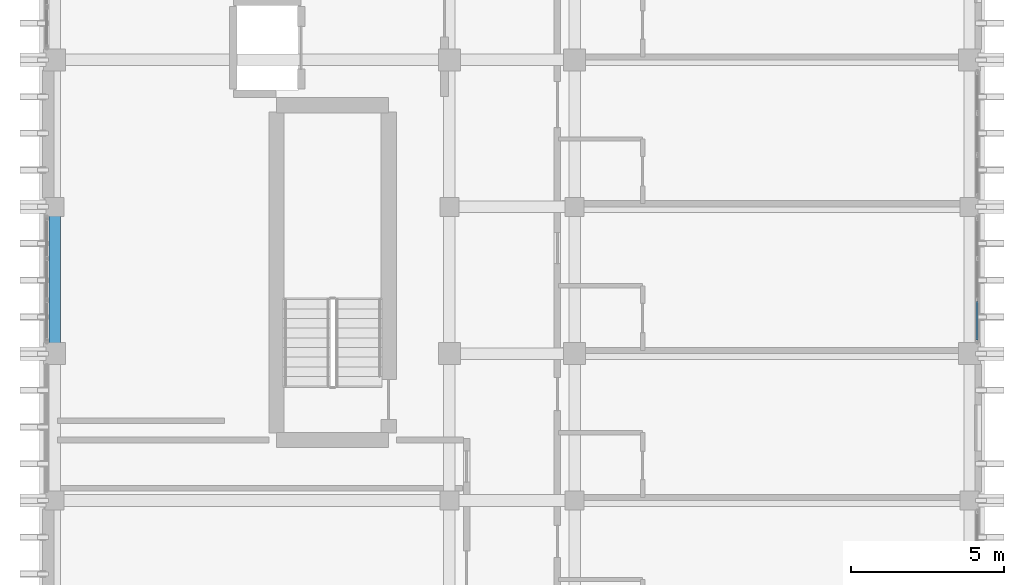
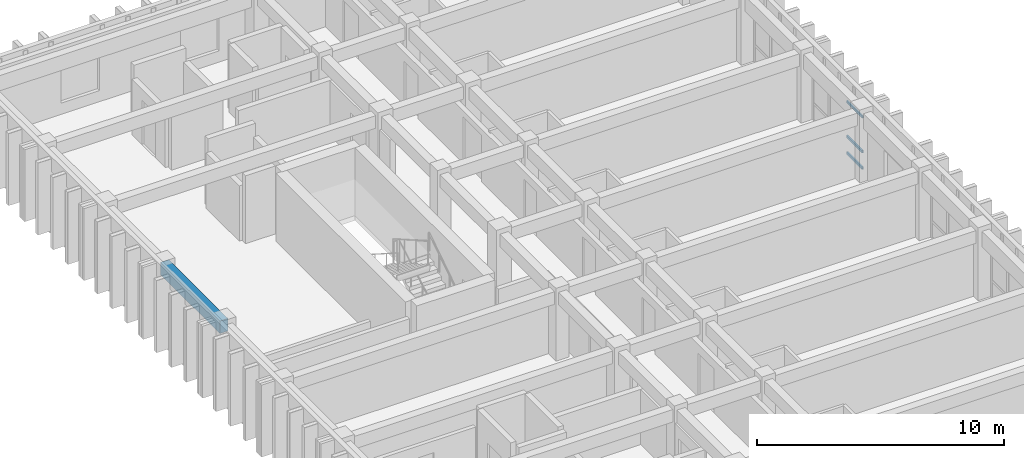
# One storey, part 33 of 59: 3 members, 1 beam, 1 element without a shape of its own.
"""IFC4 building model written with IfcOpenShell, lengths in metres."""

from ifc_helpers import new_model, si_unit, direction, frame, origin, origin_2d, place, context, subcontext, project, spatial, rectangle, hollow_rectangle, extrude, material, layer, layer_set, material_profile, profile_set, type_object, element, aggregate, save


model = new_model("IFC4")

# Units and contexts
model_context = context("Model", 3, precision=1e-05, world=origin(), true_north=direction((0.0, 1.0)))
body_context = subcontext(model_context, "Body", "Model", "MODEL_VIEW")
ifc_project = project(units=[si_unit("LENGTHUNIT", "METRE"), si_unit("AREAUNIT", "SQUARE_METRE"), si_unit("VOLUMEUNIT", "CUBIC_METRE"), si_unit("PLANEANGLEUNIT", "RADIAN"), si_unit("MASSUNIT", "GRAM", prefix="KILO")], contexts=[model_context])

# Site, building, storey
site_placement = place(None, origin())
site = spatial("IfcSite", under=ifc_project, at=site_placement, CompositionType="ELEMENT")
building_placement = place(site_placement, origin())
building = spatial("IfcBuilding", under=site, at=building_placement, Name="Nakhvara Creek Congress Hotel", CompositionType="ELEMENT")
storey_placement = place(building_placement, frame((0.0, 0.0, 31.800048828125)))
storey = spatial("IfcBuildingStorey", under=building, at=storey_placement, Name="L07", CompositionType="ELEMENT", Elevation=31.800048828125)

# Beam
ifc_material_1 = material(Name="Concrete C40/50", Category="concrete")
ifc_material_profile_1 = material_profile(ifc_material_1, rectangle(XDim=0.3798828125, YDim=0.6201171875, at=origin_2d()), Name="RC-BM 380x620", Category="LoadBearing")
ifc_profile_set_1 = profile_set([ifc_material_profile_1], Name="Concrete C40/50")
beam_type = type_object("IfcBeamType", Name="BM-RC-380X620", PredefinedType="BEAM", material=ifc_profile_set_1)
beam_placement = place(storey_placement, frame((149.449951171875, 105.60009765625, 3.050048828125), z_axis=(0.0, 1.0, 0.0), x_axis=(-1.0, 0.0, 0.0)))
element("IfcBeam", 1, at=beam_placement, inside=storey, type_object=beam_type, Name="Beam B10-L07-2335", PredefinedType="BEAM", context=body_context, shape_type="SweptSolid", body=[
    extrude(rectangle(XDim=0.3798828125, YDim=0.6201171875, at=origin_2d()), origin(), (0.0, 0.0, 1.0), 4.7998046875),
])

# Curtain wall, members
ifc_material_2 = material(Name="Bronze-anodised aluminium AW-6063-T6 and double-silver low-E glass", Category="aluminium")
ifc_layer = layer(ifc_material_2, 0.199951171875)
ifc_layer_set = layer_set([ifc_layer], Name="Bronze-anodised aluminium AW-6063-T6 and double-silver low-E glass")
curtain_wall_type = type_object("IfcCurtainWallType", Name="CW-HTL-UNIT", PredefinedType="USERDEFINED", material=ifc_layer_set)
curtain_wall_placement = place(storey_placement, origin())
curtain_wall = element("IfcCurtainWall", 2, at=curtain_wall_placement, inside=storey, type_object=curtain_wall_type, Name="Curtain Wall CW269", ObjectType="UNITISED", PredefinedType="USERDEFINED")
ifc_material_3 = material(Name="Bronze-anodised aluminium AW-6063-T6", Category="aluminium")
ifc_material_profile_2 = material_profile(ifc_material_3, hollow_rectangle(XDim=0.06494140625, YDim=0.1201171875, WallThickness=0.00390625, at=origin_2d()), Name="ALU-TRAN 65x120x4", Category="LoadBearing")
ifc_profile_set_2 = profile_set([ifc_material_profile_2], Name="Bronze-anodised aluminium AW-6063-T6")
member_type = type_object("IfcMemberType", Name="CW-TRAN-120", PredefinedType="USERDEFINED", material=ifc_profile_set_2)
member_1_placement = place(storey_placement, frame((179.60009765625, 107.30908203125, 0.032470703125), z_axis=(0.0, -1.0, 0.0), x_axis=(1.0, 0.0, 0.0)))
member_1 = element("IfcMember", 3, at=member_1_placement, type_object=member_type, Name="CW269 transom 3.1", ObjectType="TRANSOM", PredefinedType="USERDEFINED", context=body_context, shape_type="SweptSolid", body=[
    extrude(hollow_rectangle(XDim=0.06494140625, YDim=0.1201171875, WallThickness=0.00390625, at=origin_2d()), origin(), (0.0, 0.0, 1.0), 1.26904296875),
])
member_2_placement = place(storey_placement, frame((179.60009765625, 107.30908203125, 0.849853515625), z_axis=(0.0, -1.0, 0.0), x_axis=(1.0, 0.0, 0.0)))
member_2 = element("IfcMember", 4, at=member_2_placement, type_object=member_type, Name="CW269 transom 3.2", ObjectType="TRANSOM", PredefinedType="USERDEFINED", context=body_context, shape_type="SweptSolid", body=[
    extrude(hollow_rectangle(XDim=0.06494140625, YDim=0.1201171875, WallThickness=0.00390625, at=origin_2d()), origin(), (0.0, 0.0, 1.0), 1.26904296875),
])
member_3_placement = place(storey_placement, frame((179.60009765625, 107.30908203125, 2.5693359375), z_axis=(0.0, -1.0, 0.0), x_axis=(1.0, 0.0, 0.0)))
member_3 = element("IfcMember", 5, at=member_3_placement, type_object=member_type, Name="CW269 transom 3.3", ObjectType="TRANSOM", PredefinedType="USERDEFINED", context=body_context, shape_type="SweptSolid", body=[
    extrude(hollow_rectangle(XDim=0.06494140625, YDim=0.1201171875, WallThickness=0.00390625, at=origin_2d()), origin(), (0.0, 0.0, 1.0), 1.26904296875),
])
aggregate(curtain_wall, [member_1, member_2, member_3])

save(model, "model.ifc")
